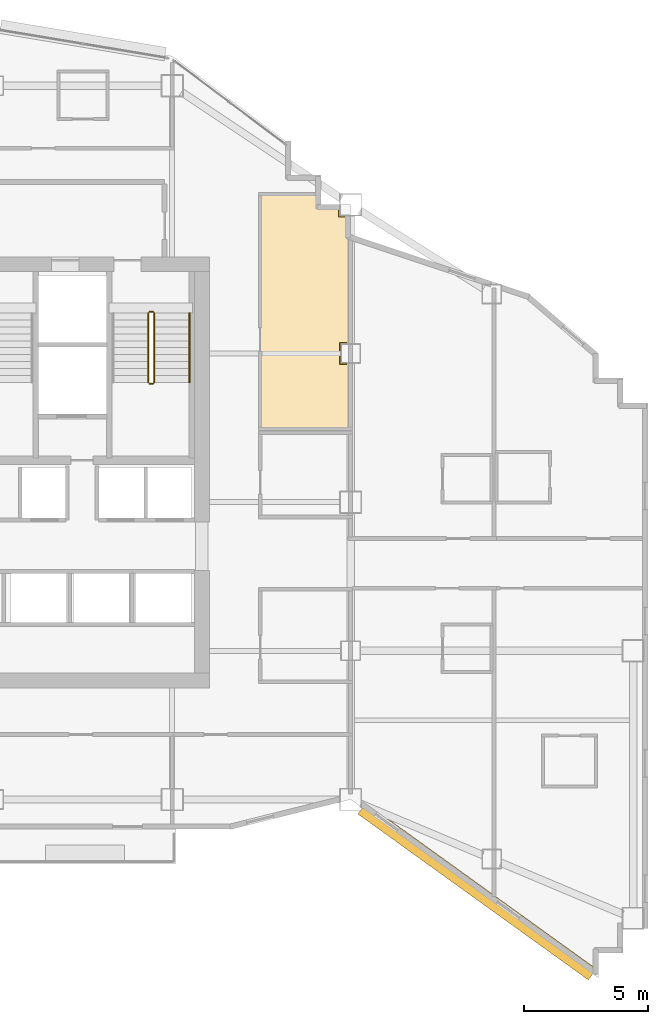
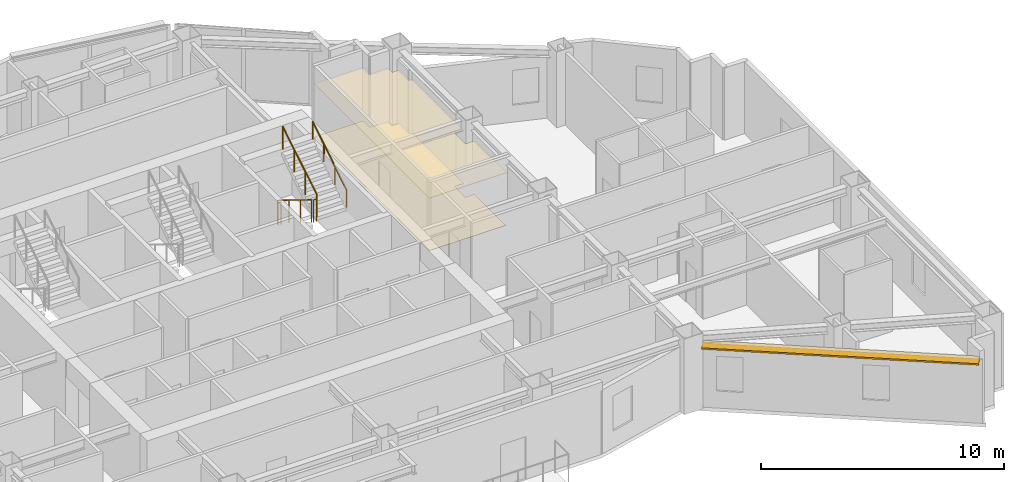
# One storey, part 11 of 12: 5 railings, 2 coverings, 1 shading device.
"""IFC4 building model written with IfcOpenShell, lengths in metres."""

from ifc_helpers import new_model, si_unit, direction, frame, origin, origin_2d, place, context, subcontext, project, spatial, polyline, rectangle, circle, outline, extrude, material, layer, layer_set, type_object, element, save


model = new_model("IFC4")

# Units and contexts
model_context = context("Model", 3, precision=1e-05, world=origin(), true_north=direction((0.0, 1.0)))
body_context = subcontext(model_context, "Body", "Model", "MODEL_VIEW")
ifc_project = project(units=[si_unit("LENGTHUNIT", "METRE"), si_unit("AREAUNIT", "SQUARE_METRE"), si_unit("VOLUMEUNIT", "CUBIC_METRE"), si_unit("PLANEANGLEUNIT", "RADIAN"), si_unit("MASSUNIT", "GRAM", prefix="KILO")], contexts=[model_context])

# Site, building, storey
site_placement = place(None, origin())
site = spatial("IfcSite", under=ifc_project, at=site_placement, CompositionType="ELEMENT")
building_placement = place(site_placement, origin())
building = spatial("IfcBuilding", under=site, at=building_placement, Name="Haolan Belvedere Tower", CompositionType="ELEMENT")
storey_placement = place(building_placement, frame((0.0, 0.0, 169.0)))
storey = spatial("IfcBuildingStorey", under=building, at=storey_placement, Name="L42", CompositionType="ELEMENT", Elevation=169.0)

# Coverings
ifc_material_1 = material(Name="Acoustic mineral-fibre suspended ceiling system", Category="masonry")
ifc_layer_1 = layer(ifc_material_1, 0.02490234375, Name="Acoustic mineral-fibre suspended ceiling system")
ifc_layer_set_1 = layer_set([ifc_layer_1], Name="Acoustic mineral-fibre suspended ceiling system")
covering_type_1 = type_object("IfcCoveringType", Name="COV-CEIL-AC25", PredefinedType="CEILING", material=ifc_layer_set_1)
covering_1_placement = place(storey_placement, frame((0.0, 0.0, 2.64990234375)))
element("IfcCovering", 1, at=covering_1_placement, inside=storey, type_object=covering_type_1, Name="L42 suspended acoustic ceiling L42-SAL.3", PredefinedType="CEILING", context=body_context, shape_type="SweptSolid", body=[
    extrude(outline(polyline([(51.48193359375, 46.031982421875), (49.14794921875, 46.031982421875), (49.14794921875, 36.548095703125), (52.81201171875, 36.548095703125), (52.81201171875, 39.18505859375), (52.385009765625, 39.18505859375), (52.385009765625, 40.014892578125), (52.81201171875, 40.014892578125), (52.81201171875, 44.271728515625), (52.681884765625, 44.31494140625), (52.681884765625, 45.135009765625), (52.3349609375, 45.135009765625), (52.3349609375, 45.48193359375), (51.48193359375, 45.48193359375), (51.48193359375, 46.031982421875)])), origin(), (0.0, 0.0, 1.0), 0.025146484375),
])
ifc_material_2 = material(Name="Honed terrazzo and natural granite stone flooring", Category="masonry")
ifc_layer_2 = layer(ifc_material_2, 0.014892578125, Name="Honed terrazzo and natural granite stone flooring")
ifc_layer_set_2 = layer_set([ifc_layer_2], Name="Honed terrazzo and natural granite stone flooring")
covering_type_2 = type_object("IfcCoveringType", Name="COV-FLR-STN30", PredefinedType="FLOORING", material=ifc_layer_set_2)
covering_2_placement = place(storey_placement, origin())
element("IfcCovering", 2, at=covering_2_placement, inside=storey, type_object=covering_type_2, Name="L42 polished stone floor finish L42-SAL.3", PredefinedType="FLOORING", context=body_context, shape_type="SweptSolid", body=[
    extrude(outline(polyline([(49.173095703125, 46.007080078125), (49.173095703125, 36.572998046875), (52.787109375, 36.572998046875), (52.787109375, 39.159912109375), (52.360107421875, 39.159912109375), (52.360107421875, 40.0400390625), (52.787109375, 40.0400390625), (52.787109375, 44.253662109375), (52.656982421875, 44.297119140625), (52.656982421875, 45.110107421875), (52.31005859375, 45.110107421875), (52.31005859375, 45.45703125), (51.45703125, 45.45703125), (51.45703125, 46.007080078125), (49.173095703125, 46.007080078125)])), origin(), (0.0, 0.0, 1.0), 0.014892578125),
])

# Railings
ifc_material_3 = material(Name="Brushed stainless steel 304", Category="steel")
railing_type_1 = type_object("IfcRailingType", Name="RL-STAIR-GRD-1150", PredefinedType="GUARDRAIL", material=ifc_material_3)
railing_1_placement = place(storey_placement, frame((44.639892578125, 41.22998046875, 0.172607421875)))
element("IfcRailing", 3, at=railing_1_placement, inside=storey, type_object=railing_type_1, Name="L42 ST2 stair guard 1", PredefinedType="GUARDRAIL", context=body_context, shape_type="SweptSolid", body=[
    extrude(circle(Radius=0.02392578125, at=origin_2d()), frame((0.0, 0.0, 1.1259765625), z_axis=(0.0, -0.851089632645, 0.525020415988), x_axis=(1.0, 0.0, 0.0)), (0.0, 0.0, 1.0), 3.2900390625),
    extrude(circle(Radius=0.02099609375, at=origin_2d()), origin(), (0.0, 0.0, 1.0), 1.101806640625),
    extrude(circle(Radius=0.02099609375, at=origin_2d()), frame((0.0, -0.933349609375, 0.57568359375)), (0.0, 0.0, 1.0), 1.101806640625),
    extrude(circle(Radius=0.02099609375, at=origin_2d()), frame((0.0, -1.86669921875, 1.151611328125)), (0.0, 0.0, 1.0), 1.101806640625),
    extrude(circle(Radius=0.02099609375, at=origin_2d()), frame((0.0, -2.800048828125, 1.727294921875)), (0.0, 0.0, 1.0), 1.101806640625),
])
railing_2_placement = place(storey_placement, frame((44.68994140625, 38.3798828125, 1.89990234375)))
element("IfcRailing", 4, at=railing_2_placement, inside=storey, type_object=railing_type_1, Name="L42 ST2 stair guard 2", PredefinedType="GUARDRAIL", context=body_context, shape_type="SweptSolid", body=[
    extrude(circle(Radius=0.02392578125, at=origin_2d()), frame((0.0, 0.0, 1.1259765625), z_axis=(1.0, 0.0, 0.0), x_axis=(0.0, 1.0, 0.0)), (0.0, 0.0, 1.0), 0.14013671875),
    extrude(circle(Radius=0.02099609375, at=origin_2d()), origin(), (0.0, 0.0, 1.0), 1.101806640625),
    extrude(circle(Radius=0.02099609375, at=origin_2d()), frame((0.14013671875, 0.0, 0.0)), (0.0, 0.0, 1.0), 1.101806640625),
])
railing_3_placement = place(storey_placement, frame((44.8798828125, 38.429931640625, 2.07275390625)))
element("IfcRailing", 5, at=railing_3_placement, inside=storey, type_object=railing_type_1, Name="L42 ST2 stair guard 3", PredefinedType="GUARDRAIL", context=body_context, shape_type="SweptSolid", body=[
    extrude(circle(Radius=0.02392578125, at=origin_2d()), frame((0.0, 0.0, 1.1259765625), z_axis=(0.0, 0.851089632645, 0.525020415988), x_axis=(-1.0, 0.0, 0.0)), (0.0, 0.0, 1.0), 3.2900390625),
    extrude(circle(Radius=0.02099609375, at=origin_2d()), origin(), (0.0, 0.0, 1.0), 1.101806640625),
    extrude(circle(Radius=0.02099609375, at=origin_2d()), frame((0.0, 0.933349609375, 0.57568359375)), (0.0, 0.0, 1.0), 1.101806640625),
    extrude(circle(Radius=0.02099609375, at=origin_2d()), frame((0.0, 1.86669921875, 1.151611328125)), (0.0, 0.0, 1.0), 1.101806640625),
    extrude(circle(Radius=0.02099609375, at=origin_2d()), frame((0.0, 2.800048828125, 1.727294921875)), (0.0, 0.0, 1.0), 1.101806640625),
])
railing_4_placement = place(storey_placement, frame((44.68994140625, 41.280029296875, 0.0)))
element("IfcRailing", 6, at=railing_4_placement, inside=storey, type_object=railing_type_1, Name="L42 ST2 stair guard 4", PredefinedType="GUARDRAIL", context=body_context, shape_type="SweptSolid", body=[
    extrude(circle(Radius=0.02392578125, at=origin_2d()), frame((0.0, 0.0, 1.1259765625), z_axis=(1.0, 0.0, 0.0), x_axis=(0.0, 1.0, 0.0)), (0.0, 0.0, 1.0), 0.14013671875),
    extrude(circle(Radius=0.02099609375, at=origin_2d()), origin(), (0.0, 0.0, 1.0), 1.101806640625),
    extrude(circle(Radius=0.02099609375, at=origin_2d()), frame((0.14013671875, 0.0, 0.0)), (0.0, 0.0, 1.0), 1.101806640625),
])
railing_type_2 = type_object("IfcRailingType", Name="RL-STAIR-HND-900", PredefinedType="HANDRAIL", material=ifc_material_3)
railing_5_placement = place(storey_placement, frame((46.300048828125, 38.429931640625, 2.07275390625)))
element("IfcRailing", 7, at=railing_5_placement, inside=storey, type_object=railing_type_2, Name="L42 ST2 stair handrail 2", PredefinedType="HANDRAIL", context=body_context, shape_type="SweptSolid", body=[
    extrude(circle(Radius=0.02392578125, at=origin_2d()), frame((0.0, 0.0, 0.8759765625), z_axis=(0.0, 0.851089632645, 0.525020415988), x_axis=(-1.0, 0.0, 0.0)), (0.0, 0.0, 1.0), 3.2900390625),
    extrude(circle(Radius=0.02099609375, at=origin_2d()), origin(), (0.0, 0.0, 1.0), 0.851806640625),
    extrude(circle(Radius=0.02099609375, at=origin_2d()), frame((0.0, 0.933349609375, 0.57568359375)), (0.0, 0.0, 1.0), 0.851806640625),
    extrude(circle(Radius=0.02099609375, at=origin_2d()), frame((0.0, 1.86669921875, 1.151611328125)), (0.0, 0.0, 1.0), 0.851806640625),
    extrude(circle(Radius=0.02099609375, at=origin_2d()), frame((0.0, 2.800048828125, 1.727294921875)), (0.0, 0.0, 1.0), 0.851806640625),
])

# Shading device
ifc_material_4 = material(Name="Anodised champagne-silver aluminium 6063-T6", Category="aluminium")
ifc_layer_3 = layer(ifc_material_4, 0.080078125, Name="Anodised champagne-silver aluminium 6063-T6")
ifc_layer_set_3 = layer_set([ifc_layer_3], Name="Anodised champagne-silver aluminium 6063-T6")
shading_device_type = type_object("IfcShadingDeviceType", Name="SHD-SUN-550", PredefinedType="USERDEFINED", material=ifc_layer_set_3)
shading_device_placement = place(storey_placement, frame((57.906494140625, 17.88623046875, 3.114990234375), z_axis=(0.0, 0.0, 1.0), x_axis=(0.811533191666, -0.584306322766, 0.0)))
element("IfcShadingDevice", 8, at=shading_device_placement, inside=storey, type_object=shading_device_type, Name="L42 pale-metal horizontal SUNSHADE band 3.1", ObjectType="SUNSHADE", PredefinedType="USERDEFINED", context=body_context, shape_type="SweptSolid", body=[
    extrude(rectangle(XDim=11.45703125, YDim=0.550048828125, at=origin_2d()), origin(), (0.0, 0.0, 1.0), 0.080078125),
])

save(model, "model.ifc")
